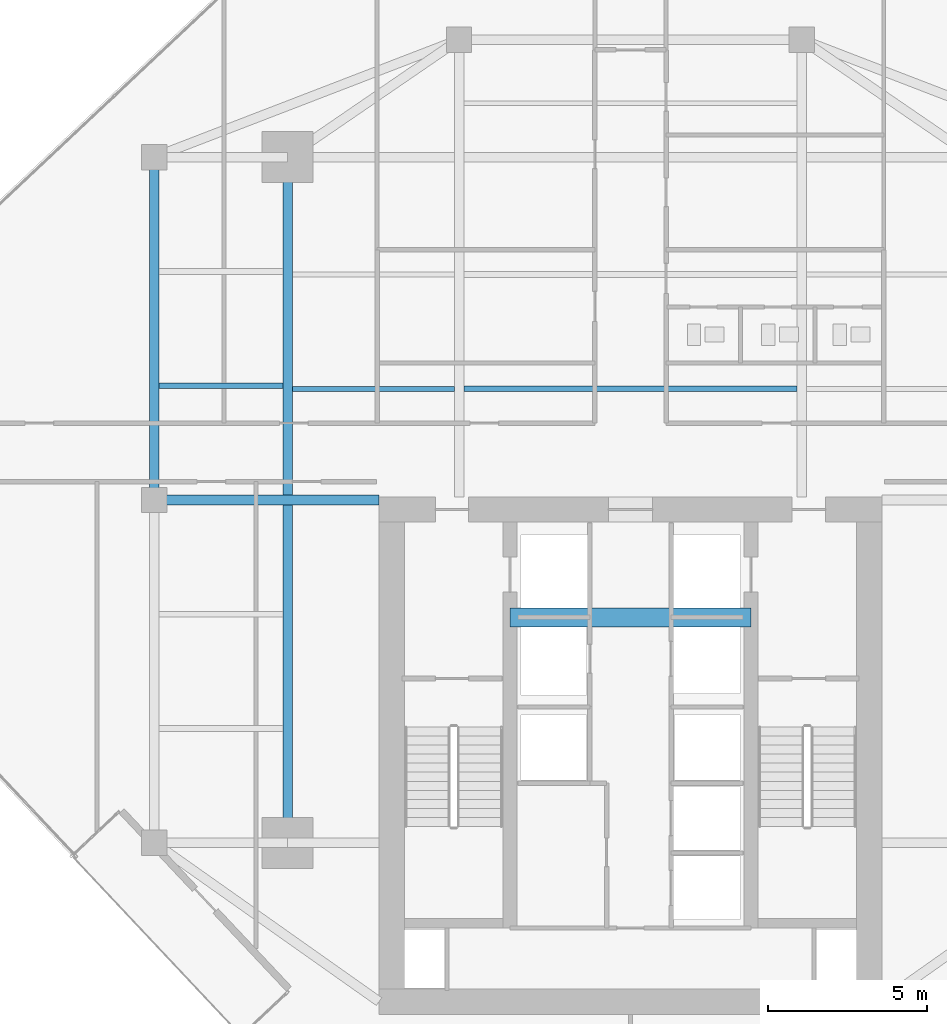
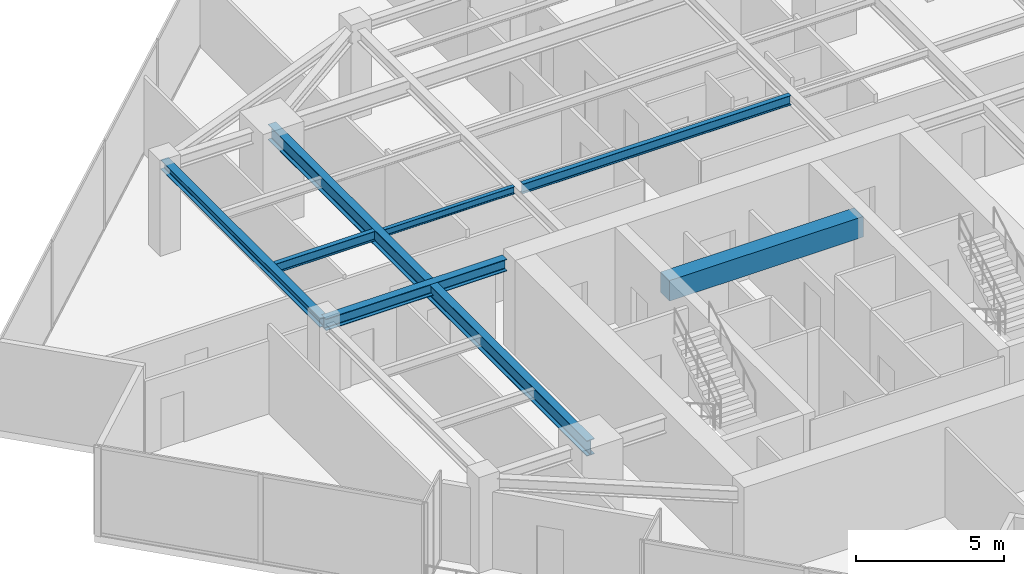
# One storey, part 8 of 24: 7 beams.
"""IFC4 building model written with IfcOpenShell, lengths in metres."""

from ifc_helpers import new_model, si_unit, direction, frame, origin, origin_2d, place, context, subcontext, project, spatial, rectangle, i_section, extrude, source, transform, mapped, material, material_profile, profile_set, type_object, type_shapes, element, save


model = new_model("IFC4")

# Units and contexts
model_context = context("Model", 3, precision=1e-05, world=origin(), true_north=direction((0.0, 1.0)))
body_context = subcontext(model_context, "Body", "Model", "MODEL_VIEW")
ifc_project = project(units=[si_unit("LENGTHUNIT", "METRE"), si_unit("AREAUNIT", "SQUARE_METRE"), si_unit("VOLUMEUNIT", "CUBIC_METRE"), si_unit("PLANEANGLEUNIT", "RADIAN"), si_unit("MASSUNIT", "GRAM", prefix="KILO")], contexts=[model_context])

# Site, building, storey
site_placement = place(None, origin())
site = spatial("IfcSite", under=ifc_project, at=site_placement, CompositionType="ELEMENT")
building_placement = place(site_placement, origin())
building = spatial("IfcBuilding", under=site, at=building_placement, Name="Krantzveldt Concourse Tower", CompositionType="ELEMENT")
storey_placement = place(building_placement, frame((0.0, 0.0, 246.800048828125)))
storey = spatial("IfcBuildingStorey", under=building, at=storey_placement, Name="L60", CompositionType="ELEMENT", Elevation=246.800048828125)

# Beams
ifc_material_1 = material(Name="Steel S355JR", Category="steel")
ifc_material_profile_1 = material_profile(ifc_material_1, i_section(OverallWidth=0.300048828125, OverallDepth=0.639892578125, WebThickness=0.013427734375, FlangeThickness=0.02587890625, FilletRadius=0.027099609375, at=origin_2d()), Name="Steel S355JR", Category="steel")
ifc_profile_set_1 = profile_set([ifc_material_profile_1], Name="Steel S355JR - HEA 650")
beam_type_1 = type_object("IfcBeamType", Name="BM-B-HEA650", PredefinedType="BEAM", material=ifc_profile_set_1)
shared_shape_1 = source(origin(), body_context, "Body", "SweptSolid", [
    extrude(i_section(OverallWidth=0.300048828125, OverallDepth=0.639892578125, WebThickness=0.013427734375, FlangeThickness=0.02587890625, FilletRadius=0.027099609375, at=origin_2d()), origin(), (0.0, 0.0, 1.0), 21.60009765625),
])
type_shapes(beam_type_1, [shared_shape_1])
beam_1_placement = place(storey_placement, frame((25.199951171875, 15.89990234375, 3.349853515625), z_axis=(0.0, 1.0, 0.0), x_axis=(-1.0, 0.0, 0.0)))
element("IfcBeam", 1, at=beam_1_placement, inside=storey, type_object=beam_type_1, Name="L60 Tower Girder BG-MW", PredefinedType="BEAM", context=body_context, shape_type="MappedRepresentation", body=[
    mapped(shared_shape_1, transform((0.0, 0.0, 0.0), x_axis=(1.0, 0.0, 0.0), y_axis=(0.0, 1.0, 0.0), z_axis=(0.0, 0.0, 1.0), scale=1.0)),
])
ifc_material_profile_2 = material_profile(ifc_material_1, i_section(OverallWidth=0.179931640625, OverallDepth=0.39990234375, WebThickness=0.008544921875, FlangeThickness=0.013427734375, FilletRadius=0.02099609375, at=origin_2d()), Name="Steel S355JR", Category="steel")
ifc_profile_set_2 = profile_set([ifc_material_profile_2], Name="Steel S355JR - IPE 400")
beam_type_2 = type_object("IfcBeamType", Name="BM-J-IPE400", PredefinedType="JOIST", material=ifc_profile_set_2)
shared_shape_2 = source(origin(), body_context, "Body", "SweptSolid", [
    extrude(i_section(OverallWidth=0.179931640625, OverallDepth=0.39990234375, WebThickness=0.008544921875, FlangeThickness=0.013427734375, FilletRadius=0.02099609375, at=origin_2d()), origin(), (0.0, 0.0, 1.0), 10.5),
])
beam_2_placement = place(storey_placement, frame((30.75, 30.199951171875, 3.469970703125), z_axis=(1.0, 0.0, 0.0), x_axis=(0.0, 1.0, 0.0)))
element("IfcBeam", 2, at=beam_2_placement, inside=storey, type_object=beam_type_2, Name="L60 Secondary Floor Joist JN-C1", PredefinedType="JOIST", context=body_context, shape_type="MappedRepresentation", body=[
    mapped(shared_shape_2, transform((0.0, 0.0, 0.0), x_axis=(1.0, 0.0, 0.0), y_axis=(0.0, 1.0, 0.0), z_axis=(0.0, 0.0, 1.0), scale=1.0)),
])
ifc_material_profile_3 = material_profile(ifc_material_1, i_section(OverallWidth=0.300048828125, OverallDepth=0.389892578125, WebThickness=0.010986328125, FlangeThickness=0.01904296875, FilletRadius=0.027099609375, at=origin_2d()), Name="Steel S355JR", Category="steel")
ifc_profile_set_3 = profile_set([ifc_material_profile_3], Name="Steel S355JR - HEA 400")
beam_type_3 = type_object("IfcBeamType", Name="BM-SP-HEA400", PredefinedType="SPANDREL", material=ifc_profile_set_3)
shared_shape_3 = source(origin(), body_context, "Body", "SweptSolid", [
    extrude(i_section(OverallWidth=0.300048828125, OverallDepth=0.389892578125, WebThickness=0.010986328125, FlangeThickness=0.01904296875, FilletRadius=0.027099609375, at=origin_2d()), origin(), (0.0, 0.0, 1.0), 10.800048828125),
])
type_shapes(beam_type_3, [shared_shape_3])
beam_3_placement = place(storey_placement, frame((21.0, 26.699951171875, 3.474853515625), z_axis=(0.0, 1.0, 0.0), x_axis=(-1.0, 0.0, 0.0)))
element("IfcBeam", 3, at=beam_3_placement, inside=storey, type_object=beam_type_3, Name="L60 Tower Girder SP-R02", PredefinedType="SPANDREL", context=body_context, shape_type="MappedRepresentation", body=[
    mapped(shared_shape_3, transform((0.0, 0.0, 0.0), x_axis=(1.0, 0.0, 0.0), y_axis=(0.0, 1.0, 0.0), z_axis=(0.0, 0.0, 1.0), scale=1.0)),
])
ifc_material_profile_4 = material_profile(ifc_material_1, i_section(OverallWidth=0.300048828125, OverallDepth=0.489990234375, WebThickness=0.011962890625, FlangeThickness=0.02294921875, FilletRadius=0.027099609375, at=origin_2d()), Name="Steel S355JR", Category="steel")
ifc_profile_set_4 = profile_set([ifc_material_profile_4], Name="Steel S355JR - HEA 500")
beam_type_4 = type_object("IfcBeamType", Name="BM-B-HEA500", PredefinedType="BEAM", material=ifc_profile_set_4)
shared_shape_4 = source(origin(), body_context, "Body", "SweptSolid", [
    extrude(i_section(OverallWidth=0.300048828125, OverallDepth=0.489990234375, WebThickness=0.011962890625, FlangeThickness=0.02294921875, FilletRadius=0.027099609375, at=origin_2d()), origin(), (0.0, 0.0, 1.0), 7.080078125),
])
type_shapes(beam_type_4, [shared_shape_4])
beam_4_placement = place(storey_placement, frame((21.0, 26.699951171875, 3.425048828125), z_axis=(1.0, 0.0, 0.0), x_axis=(0.0, 1.0, 0.0)))
element("IfcBeam", 4, at=beam_4_placement, inside=storey, type_object=beam_type_4, Name="L60 Tower Girder BG-CW2", PredefinedType="BEAM", context=body_context, shape_type="MappedRepresentation", body=[
    mapped(shared_shape_4, transform((0.0, 0.0, 0.0), x_axis=(1.0, 0.0, 0.0), y_axis=(0.0, 1.0, 0.0), z_axis=(0.0, 0.0, 1.0), scale=1.0)),
])
ifc_material_profile_5 = material_profile(ifc_material_1, i_section(OverallWidth=0.14990234375, OverallDepth=0.300048828125, WebThickness=0.007080078125, FlangeThickness=0.0107421875, FilletRadius=0.014892578125, at=origin_2d()), Name="Steel S355JR", Category="steel")
ifc_profile_set_5 = profile_set([ifc_material_profile_5], Name="Steel S355JR - IPE 300")
beam_type_5 = type_object("IfcBeamType", Name="BM-J-IPE300", PredefinedType="JOIST", material=ifc_profile_set_5)
shared_shape_5 = source(origin(), body_context, "Body", "SweptSolid", [
    extrude(i_section(OverallWidth=0.14990234375, OverallDepth=0.300048828125, WebThickness=0.007080078125, FlangeThickness=0.0107421875, FilletRadius=0.014892578125, at=origin_2d()), origin(), (0.0, 0.0, 1.0), 5.099853515625),
])
type_shapes(beam_type_5, [shared_shape_5])
beam_5_placement = place(storey_placement, frame((25.35009765625, 30.199951171875, 3.52001953125), z_axis=(1.0, 0.0, 0.0), x_axis=(0.0, 1.0, 0.0)))
element("IfcBeam", 5, at=beam_5_placement, inside=storey, type_object=beam_type_5, Name="L60 Secondary Floor Joist JN-W1", PredefinedType="JOIST", context=body_context, shape_type="MappedRepresentation", body=[
    mapped(shared_shape_5, transform((0.0, 0.0, 0.0), x_axis=(1.0, 0.0, 0.0), y_axis=(0.0, 1.0, 0.0), z_axis=(0.0, 0.0, 1.0), scale=1.0)),
])
shared_shape_6 = source(origin(), body_context, "Body", "SweptSolid", [
    extrude(i_section(OverallWidth=0.179931640625, OverallDepth=0.39990234375, WebThickness=0.008544921875, FlangeThickness=0.013427734375, FilletRadius=0.02099609375, at=origin_2d()), origin(), (0.0, 0.0, 1.0), 3.900146484375),
])
type_shapes(beam_type_2, [shared_shape_2, shared_shape_6])
beam_6_placement = place(storey_placement, frame((21.14990234375, 30.300048828125, 3.469970703125), z_axis=(1.0, 0.0, 0.0), x_axis=(0.0, 1.0, 0.0)))
element("IfcBeam", 6, at=beam_6_placement, inside=storey, type_object=beam_type_2, Name="L60 Secondary Floor Joist JW-3", PredefinedType="JOIST", context=body_context, shape_type="MappedRepresentation", body=[
    mapped(shared_shape_6, transform((0.0, 0.0, 0.0), x_axis=(1.0, 0.0, 0.0), y_axis=(0.0, 1.0, 0.0), z_axis=(0.0, 0.0, 1.0), scale=1.0)),
])
ifc_material_2 = material(Name="Concrete C50/60", Category="concrete")
ifc_material_profile_6 = material_profile(ifc_material_2, rectangle(XDim=0.60009765625, YDim=0.85009765625, at=origin_2d()), Name="Concrete C50/60", Category="concrete")
ifc_profile_set_6 = profile_set([ifc_material_profile_6], Name="Concrete C50/60 - RC-CB 600x850")
beam_type_6 = type_object("IfcBeamType", Name="BM-CB-850", PredefinedType="LINTEL", material=ifc_profile_set_6)
shared_shape_7 = source(origin(), body_context, "Body", "SweptSolid", [
    extrude(rectangle(XDim=0.60009765625, YDim=0.85009765625, at=origin_2d()), origin(), (0.0, 0.0, 1.0), 7.580078125),
])
type_shapes(beam_type_6, [shared_shape_7])
beam_7_placement = place(storey_placement, frame((32.2099609375, 23.0, 3.244873046875), z_axis=(1.0, 0.0, 0.0), x_axis=(0.0, 1.0, 0.0)))
element("IfcBeam", 7, at=beam_7_placement, inside=storey, type_object=beam_type_6, Name="CB-L60-01", PredefinedType="LINTEL", context=body_context, shape_type="MappedRepresentation", body=[
    mapped(shared_shape_7, transform((0.0, 0.0, 0.0), x_axis=(1.0, 0.0, 0.0), y_axis=(0.0, 1.0, 0.0), z_axis=(0.0, 0.0, 1.0), scale=1.0)),
])

save(model, "model.ifc")
